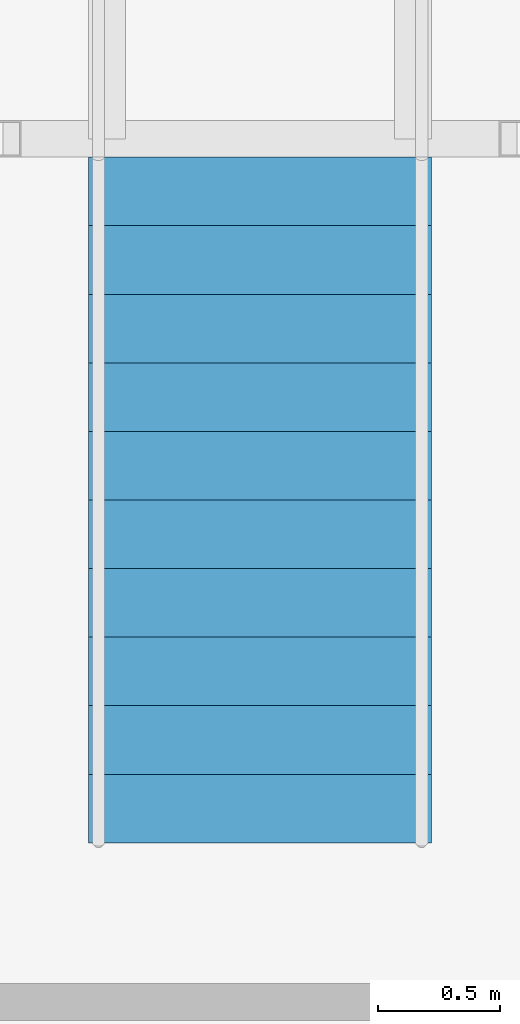
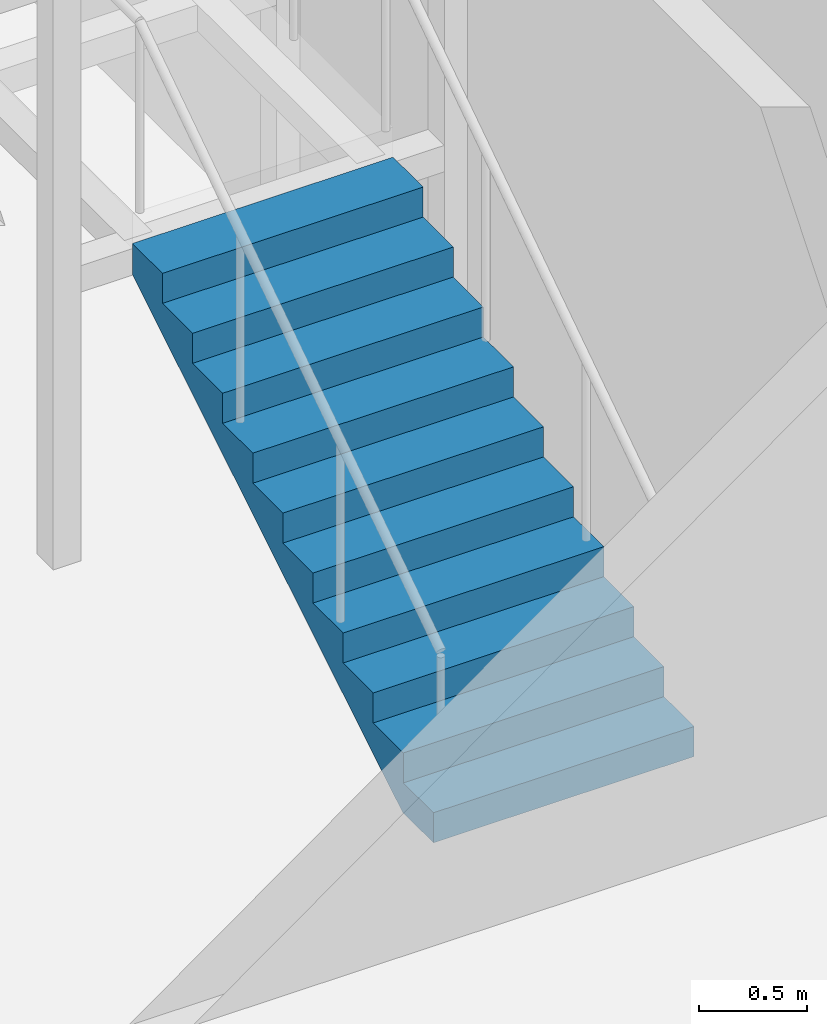
# One storey, part 21 of 27: 1 stair flight, 1 element without a shape of its own.
"""IFC4 building model written with IfcOpenShell, lengths in metres."""

from ifc_helpers import new_model, si_unit, direction, frame, origin, place, context, subcontext, project, spatial, triangles, material, type_object, element, aggregate, save


model = new_model("IFC4")

# Units and contexts
model_context = context("Model", 3, precision=1e-05, world=origin(), true_north=direction((0.0, 1.0)))
body_context = subcontext(model_context, "Body", "Model", "MODEL_VIEW")
ifc_project = project(units=[si_unit("LENGTHUNIT", "METRE"), si_unit("AREAUNIT", "SQUARE_METRE"), si_unit("VOLUMEUNIT", "CUBIC_METRE"), si_unit("PLANEANGLEUNIT", "RADIAN"), si_unit("MASSUNIT", "GRAM", prefix="KILO")], contexts=[model_context])

# Site, building, storey
site_placement = place(None, origin())
site = spatial("IfcSite", under=ifc_project, at=site_placement, CompositionType="ELEMENT")
building_placement = place(site_placement, origin())
building = spatial("IfcBuilding", under=site, at=building_placement, Name="Orbita Commons", CompositionType="ELEMENT")
storey_placement = place(building_placement, frame((0.0, 0.0, 178.60009765625)))
storey = spatial("IfcBuildingStorey", under=building, at=storey_placement, Name="L44", CompositionType="ELEMENT", Elevation=178.60009765625)

# Stair, stair flight
ifc_material_1 = material(Name="Steel ASTM A992 stringers, precast concrete C40/50 terrazzo treads", Category="concrete")
stair_type = type_object("IfcStairType", Name="Feature stair 22 risers 170 x 280 x 1400", PredefinedType="STRAIGHT_RUN_STAIR", material=ifc_material_1)
stair_placement = place(storey_placement, origin())
stair = element("IfcStair", 1, at=stair_placement, inside=storey, type_object=stair_type, Name="Neighbourhood stair L44 to L45", PredefinedType="STRAIGHT_RUN_STAIR")
ifc_material_2 = material(Name="Steel ASTM A992 stringers, precast concrete C40/50 terrazzo treads", Category="concrete")
stair_flight_type = type_object("IfcStairFlightType", Name="Feature stair flight 11 risers 170 x 1400", PredefinedType="STRAIGHT", material=ifc_material_2)
stair_flight_placement = place(storey_placement, frame((14.39990234375, 31.5, 0.0), z_axis=(0.0, 0.0, 1.0), x_axis=(0.0, 1.0, 0.0)))
stair_flight = element("IfcStairFlight", 2, at=stair_flight_placement, type_object=stair_flight_type, Name="FS flight 1", NumberOfRisers=11, NumberOfTreads=10, PredefinedType="STRAIGHT", RiserHeight=0.170454545, TreadLength=0.28, context=body_context, shape_type="Tessellation", body=[
    triangles([(0.0, 0.699951, 0.0), (0.0, 0.699951, 0.021307), (0.0, 0.583293, 0.021307), (0.0, 0.583293, 0.0), (0.0, 0.466634, 0.021307), (0.0, 0.466634, 0.0), (0.0, 0.349976, 0.021307), (0.0, 0.349976, 0.0), (0.0, 0.233317, 0.021307), (0.0, 0.233317, 0.0), (0.0, 0.116659, 0.021307), (0.0, 0.116659, 0.0), (0.0, 0.0, 0.021307), (0.0, 0.0, 0.0), (0.0, -0.116659, 0.021307), (0.0, -0.116659, 0.0), (0.0, -0.233317, 0.021307), (0.0, -0.233317, 0.0), (0.0, -0.349976, 0.021307), (0.0, -0.349976, 0.0), (0.0, -0.466634, 0.021307), (0.0, -0.466634, 0.0), (0.0, -0.583293, 0.021307), (0.0, -0.583293, 0.0), (0.0, -0.699951, 0.021307), (0.0, -0.699951, 0.0), (0.0, 0.699951, 0.042614), (0.0, 0.583293, 0.042614), (0.0, 0.466634, 0.042614), (0.0, 0.349976, 0.042614), (0.0, 0.233317, 0.042614), (0.0, 0.116659, 0.042614), (0.0, 0.0, 0.042614), (0.0, -0.116659, 0.042614), (0.0, -0.233317, 0.042614), (0.0, -0.349976, 0.042614), (0.0, -0.466634, 0.042614), (0.0, -0.583293, 0.042614), (0.0, -0.699951, 0.042614), (0.0, 0.699951, 0.06392), (0.0, 0.583293, 0.06392), (0.0, 0.466634, 0.06392), (0.0, 0.349976, 0.06392), (0.0, 0.233317, 0.06392), (0.0, 0.116659, 0.06392), (0.0, 0.0, 0.06392), (0.0, -0.116659, 0.06392), (0.0, -0.233317, 0.06392), (0.0, -0.349976, 0.06392), (0.0, -0.466634, 0.06392), (0.0, -0.583293, 0.06392), (0.0, -0.699951, 0.06392), (0.0, 0.699951, 0.085227), (0.0, 0.583293, 0.085227), (0.0, 0.466634, 0.085227), (0.0, 0.349976, 0.085227), (0.0, 0.233317, 0.085227), (0.0, 0.116659, 0.085227), (0.0, 0.0, 0.085227), (0.0, -0.116659, 0.085227), (0.0, -0.233317, 0.085227), (0.0, -0.349976, 0.085227), (0.0, -0.466634, 0.085227), (0.0, -0.583293, 0.085227), (0.0, -0.699951, 0.085227), (0.0, 0.699951, 0.106534), (0.0, 0.583293, 0.106534), (0.0, 0.466634, 0.106534), (0.0, 0.349976, 0.106534), (0.0, 0.233317, 0.106534), (0.0, 0.116659, 0.106534), (0.0, 0.0, 0.106534), (0.0, -0.116659, 0.106534), (0.0, -0.233317, 0.106534), (0.0, -0.349976, 0.106534), (0.0, -0.466634, 0.106534), (0.0, -0.583293, 0.106534), (0.0, -0.699951, 0.106534), (0.0, 0.699951, 0.127841), (0.0, 0.583293, 0.127841), (0.0, 0.466634, 0.127841), (0.0, 0.349976, 0.127841), (0.0, 0.233317, 0.127841), (0.0, 0.116659, 0.127841), (0.0, 0.0, 0.127841), (0.0, -0.116659, 0.127841), (0.0, -0.233317, 0.127841), (0.0, -0.349976, 0.127841), (0.0, -0.466634, 0.127841), (0.0, -0.583293, 0.127841), (0.0, -0.699951, 0.127841), (0.0, 0.699951, 0.149148), (0.0, 0.583293, 0.149148), (0.0, 0.466634, 0.149148), (0.0, 0.349976, 0.149148), (0.0, 0.233317, 0.149148), (0.0, 0.116659, 0.149148), (0.0, 0.0, 0.149148), (0.0, -0.116659, 0.149148), (0.0, -0.233317, 0.149148), (0.0, -0.349976, 0.149148), (0.0, -0.466634, 0.149148), (0.0, -0.583293, 0.149148), (0.0, -0.699951, 0.149148), (0.0, 0.699951, 0.170455), (0.0, 0.583293, 0.170455), (0.0, 0.466634, 0.170455), (0.0, 0.349976, 0.170455), (0.0, 0.233317, 0.170455), (0.0, 0.116659, 0.170455), (0.0, 0.0, 0.170455), (0.0, -0.116659, 0.170455), (0.0, -0.233317, 0.170455), (0.0, -0.349976, 0.170455), (0.0, -0.466634, 0.170455), (0.0, -0.583293, 0.170455), (0.0, -0.699951, 0.170455), (0.28, 0.699951, 0.170455), (0.28, 0.583293, 0.170455), (0.28, 0.466634, 0.170455), (0.28, 0.349976, 0.170455), (0.28, 0.233317, 0.170455), (0.28, 0.116659, 0.170455), (0.28, 0.0, 0.170455), (0.28, -0.116659, 0.170455), (0.28, -0.233317, 0.170455), (0.28, -0.349976, 0.170455), (0.28, -0.466634, 0.170455), (0.28, -0.583293, 0.170455), (0.28, -0.699951, 0.170455), (0.28, 0.699951, 0.340909), (0.28, 0.583293, 0.340909), (0.28, 0.466634, 0.340909), (0.28, 0.349976, 0.340909), (0.28, 0.233317, 0.340909), (0.28, 0.116659, 0.340909), (0.28, 0.0, 0.340909), (0.28, -0.116659, 0.340909), (0.28, -0.233317, 0.340909), (0.28, -0.349976, 0.340909), (0.28, -0.466634, 0.340909), (0.28, -0.583293, 0.340909), (0.28, -0.699951, 0.340909), (0.56, 0.699951, 0.340909), (0.56, 0.583293, 0.340909), (0.56, 0.466634, 0.340909), (0.56, 0.349976, 0.340909), (0.56, 0.233317, 0.340909), (0.56, 0.116659, 0.340909), (0.56, 0.0, 0.340909), (0.56, -0.116659, 0.340909), (0.56, -0.233317, 0.340909), (0.56, -0.349976, 0.340909), (0.56, -0.466634, 0.340909), (0.56, -0.583293, 0.340909), (0.56, -0.699951, 0.340909), (0.56, 0.699951, 0.511364), (0.56, 0.583293, 0.511364), (0.56, 0.466634, 0.511364), (0.56, 0.349976, 0.511364), (0.56, 0.233317, 0.511364), (0.56, 0.116659, 0.511364), (0.56, 0.0, 0.511364), (0.56, -0.116659, 0.511364), (0.56, -0.233317, 0.511364), (0.56, -0.349976, 0.511364), (0.56, -0.466634, 0.511364), (0.56, -0.583293, 0.511364), (0.56, -0.699951, 0.511364), (0.84, 0.699951, 0.511364), (0.84, 0.583293, 0.511364), (0.84, 0.466634, 0.511364), (0.84, 0.349976, 0.511364), (0.84, 0.233317, 0.511364), (0.84, 0.116659, 0.511364), (0.84, 0.0, 0.511364), (0.84, -0.116659, 0.511364), (0.84, -0.233317, 0.511364), (0.84, -0.349976, 0.511364), (0.84, -0.466634, 0.511364), (0.84, -0.583293, 0.511364), (0.84, -0.699951, 0.511364), (0.84, 0.699951, 0.681818), (0.84, 0.583293, 0.681818), (0.84, 0.466634, 0.681818), (0.84, 0.349976, 0.681818), (0.84, 0.233317, 0.681818), (0.84, 0.116659, 0.681818), (0.84, 0.0, 0.681818), (0.84, -0.116659, 0.681818), (0.84, -0.233317, 0.681818), (0.84, -0.349976, 0.681818), (0.84, -0.466634, 0.681818), (0.84, -0.583293, 0.681818), (0.84, -0.699951, 0.681818), (1.12, 0.699951, 0.681818), (1.12, 0.583293, 0.681818), (1.12, 0.466634, 0.681818), (1.12, 0.349976, 0.681818), (1.12, 0.233317, 0.681818), (1.12, 0.116659, 0.681818), (1.12, 0.0, 0.681818), (1.12, -0.116659, 0.681818), (1.12, -0.233317, 0.681818), (1.12, -0.349976, 0.681818), (1.12, -0.466634, 0.681818), (1.12, -0.583293, 0.681818), (1.12, -0.699951, 0.681818), (1.12, 0.699951, 0.852273), (1.12, 0.583293, 0.852273), (1.12, 0.466634, 0.852273), (1.12, 0.349976, 0.852273), (1.12, 0.233317, 0.852273), (1.12, 0.116659, 0.852273), (1.12, 0.0, 0.852273), (1.12, -0.116659, 0.852273), (1.12, -0.233317, 0.852273), (1.12, -0.349976, 0.852273), (1.12, -0.466634, 0.852273), (1.12, -0.583293, 0.852273), (1.12, -0.699951, 0.852273), (1.4, 0.699951, 0.852273), (1.4, 0.583293, 0.852273), (1.4, 0.466634, 0.852273), (1.4, 0.349976, 0.852273), (1.4, 0.233317, 0.852273), (1.4, 0.116659, 0.852273), (1.4, 0.0, 0.852273), (1.4, -0.116659, 0.852273), (1.4, -0.233317, 0.852273), (1.4, -0.349976, 0.852273), (1.4, -0.466634, 0.852273), (1.4, -0.583293, 0.852273), (1.4, -0.699951, 0.852273), (1.4, 0.699951, 1.022727), (1.4, 0.583293, 1.022727), (1.4, 0.466634, 1.022727), (1.4, 0.349976, 1.022727), (1.4, 0.233317, 1.022727), (1.4, 0.116659, 1.022727), (1.4, 0.0, 1.022727), (1.4, -0.116659, 1.022727), (1.4, -0.233317, 1.022727), (1.4, -0.349976, 1.022727), (1.4, -0.466634, 1.022727), (1.4, -0.583293, 1.022727), (1.4, -0.699951, 1.022727), (1.68, 0.699951, 1.022727), (1.68, 0.583293, 1.022727), (1.68, 0.466634, 1.022727), (1.68, 0.349976, 1.022727), (1.68, 0.233317, 1.022727), (1.68, 0.116659, 1.022727), (1.68, 0.0, 1.022727), (1.68, -0.116659, 1.022727), (1.68, -0.233317, 1.022727), (1.68, -0.349976, 1.022727), (1.68, -0.466634, 1.022727), (1.68, -0.583293, 1.022727), (1.68, -0.699951, 1.022727), (1.68, 0.699951, 1.193182), (1.68, 0.583293, 1.193182), (1.68, 0.466634, 1.193182), (1.68, 0.349976, 1.193182), (1.68, 0.233317, 1.193182), (1.68, 0.116659, 1.193182), (1.68, 0.0, 1.193182), (1.68, -0.116659, 1.193182), (1.68, -0.233317, 1.193182), (1.68, -0.349976, 1.193182), (1.68, -0.466634, 1.193182), (1.68, -0.583293, 1.193182), (1.68, -0.699951, 1.193182), (1.96, 0.699951, 1.193182), (1.96, 0.583293, 1.193182), (1.96, 0.466634, 1.193182), (1.96, 0.349976, 1.193182), (1.96, 0.233317, 1.193182), (1.96, 0.116659, 1.193182), (1.96, 0.0, 1.193182), (1.96, -0.116659, 1.193182), (1.96, -0.233317, 1.193182), (1.96, -0.349976, 1.193182), (1.96, -0.466634, 1.193182), (1.96, -0.583293, 1.193182), (1.96, -0.699951, 1.193182), (1.96, 0.699951, 1.363636), (1.96, 0.583293, 1.363636), (1.96, 0.466634, 1.363636), (1.96, 0.349976, 1.363636), (1.96, 0.233317, 1.363636), (1.96, 0.116659, 1.363636), (1.96, 0.0, 1.363636), (1.96, -0.116659, 1.363636), (1.96, -0.233317, 1.363636), (1.96, -0.349976, 1.363636), (1.96, -0.466634, 1.363636), (1.96, -0.583293, 1.363636), (1.96, -0.699951, 1.363636), (2.24, 0.699951, 1.363636), (2.24, 0.583293, 1.363636), (2.24, 0.466634, 1.363636), (2.24, 0.349976, 1.363636), (2.24, 0.233317, 1.363636), (2.24, 0.116659, 1.363636), (2.24, 0.0, 1.363636), (2.24, -0.116659, 1.363636), (2.24, -0.233317, 1.363636), (2.24, -0.349976, 1.363636), (2.24, -0.466634, 1.363636), (2.24, -0.583293, 1.363636), (2.24, -0.699951, 1.363636), (2.24, 0.699951, 1.534091), (2.24, 0.583293, 1.534091), (2.24, 0.466634, 1.534091), (2.24, 0.349976, 1.534091), (2.24, 0.233317, 1.534091), (2.24, 0.116659, 1.534091), (2.24, 0.0, 1.534091), (2.24, -0.116659, 1.534091), (2.24, -0.233317, 1.534091), (2.24, -0.349976, 1.534091), (2.24, -0.466634, 1.534091), (2.24, -0.583293, 1.534091), (2.24, -0.699951, 1.534091), (2.52, 0.699951, 1.534091), (2.52, 0.583293, 1.534091), (2.52, 0.466634, 1.534091), (2.52, 0.349976, 1.534091), (2.52, 0.233317, 1.534091), (2.52, 0.116659, 1.534091), (2.52, 0.0, 1.534091), (2.52, -0.116659, 1.534091), (2.52, -0.233317, 1.534091), (2.52, -0.349976, 1.534091), (2.52, -0.466634, 1.534091), (2.52, -0.583293, 1.534091), (2.52, -0.699951, 1.534091), (2.52, 0.699951, 1.704545), (2.52, 0.583293, 1.704545), (2.52, 0.466634, 1.704545), (2.52, 0.349976, 1.704545), (2.52, 0.233317, 1.704545), (2.52, 0.116659, 1.704545), (2.52, 0.0, 1.704545), (2.52, -0.116659, 1.704545), (2.52, -0.233317, 1.704545), (2.52, -0.349976, 1.704545), (2.52, -0.466634, 1.704545), (2.52, -0.583293, 1.704545), (2.52, -0.699951, 1.704545), (2.8, 0.699951, 1.704545), (2.8, 0.583293, 1.704545), (2.8, 0.466634, 1.704545), (2.8, 0.349976, 1.704545), (2.8, 0.233317, 1.704545), (2.8, 0.116659, 1.704545), (2.8, 0.0, 1.704545), (2.8, -0.116659, 1.704545), (2.8, -0.233317, 1.704545), (2.8, -0.349976, 1.704545), (2.8, -0.466634, 1.704545), (2.8, -0.583293, 1.704545), (2.8, -0.699951, 1.704545), (2.8, 0.699951, 1.682609), (2.8, 0.583293, 1.682609), (2.8, 0.466634, 1.682609), (2.8, 0.349976, 1.682609), (2.8, 0.233317, 1.682609), (2.8, 0.116659, 1.682609), (2.8, 0.0, 1.682609), (2.8, -0.116659, 1.682609), (2.8, -0.233317, 1.682609), (2.8, -0.349976, 1.682609), (2.8, -0.466634, 1.682609), (2.8, -0.583293, 1.682609), (2.8, -0.699951, 1.682609), (2.8, 0.699951, 1.660672), (2.8, 0.583293, 1.660672), (2.8, 0.466634, 1.660672), (2.8, 0.349976, 1.660672), (2.8, 0.233317, 1.660672), (2.8, 0.116659, 1.660672), (2.8, 0.0, 1.660672), (2.8, -0.116659, 1.660672), (2.8, -0.233317, 1.660672), (2.8, -0.349976, 1.660672), (2.8, -0.466634, 1.660672), (2.8, -0.583293, 1.660672), (2.8, -0.699951, 1.660672), (2.8, 0.699951, 1.638735), (2.8, 0.583293, 1.638735), (2.8, 0.466634, 1.638735), (2.8, 0.349976, 1.638735), (2.8, 0.233317, 1.638735), (2.8, 0.116659, 1.638735), (2.8, 0.0, 1.638735), (2.8, -0.116659, 1.638735), (2.8, -0.233317, 1.638735), (2.8, -0.349976, 1.638735), (2.8, -0.466634, 1.638735), (2.8, -0.583293, 1.638735), (2.8, -0.699951, 1.638735), (2.8, 0.699951, 1.616798), (2.8, 0.583293, 1.616798), (2.8, 0.466634, 1.616798), (2.8, 0.349976, 1.616798), (2.8, 0.233317, 1.616798), (2.8, 0.116659, 1.616798), (2.8, 0.0, 1.616798), (2.8, -0.116659, 1.616798), (2.8, -0.233317, 1.616798), (2.8, -0.349976, 1.616798), (2.8, -0.466634, 1.616798), (2.8, -0.583293, 1.616798), (2.8, -0.699951, 1.616798), (2.8, 0.699951, 1.594861), (2.8, 0.583293, 1.594861), (2.8, 0.466634, 1.594861), (2.8, 0.349976, 1.594861), (2.8, 0.233317, 1.594861), (2.8, 0.116659, 1.594861), (2.8, 0.0, 1.594861), (2.8, -0.116659, 1.594861), (2.8, -0.233317, 1.594861), (2.8, -0.349976, 1.594861), (2.8, -0.466634, 1.594861), (2.8, -0.583293, 1.594861), (2.8, -0.699951, 1.594861), (2.8, 0.699951, 1.572925), (2.8, 0.583293, 1.572925), (2.8, 0.466634, 1.572925), (2.8, 0.349976, 1.572925), (2.8, 0.233317, 1.572925), (2.8, 0.116659, 1.572925), (2.8, 0.0, 1.572925), (2.8, -0.116659, 1.572925), (2.8, -0.233317, 1.572925), (2.8, -0.349976, 1.572925), (2.8, -0.466634, 1.572925), (2.8, -0.583293, 1.572925), (2.8, -0.699951, 1.572925), (2.8, 0.699951, 1.550988), (2.8, 0.583293, 1.550988), (2.8, 0.466634, 1.550988), (2.8, 0.349976, 1.550988), (2.8, 0.233317, 1.550988), (2.8, 0.116659, 1.550988), (2.8, 0.0, 1.550988), (2.8, -0.116659, 1.550988), (2.8, -0.233317, 1.550988), (2.8, -0.349976, 1.550988), (2.8, -0.466634, 1.550988), (2.8, -0.583293, 1.550988), (2.8, -0.699951, 1.550988), (2.8, 0.699951, 1.529051), (2.8, 0.583293, 1.529051), (2.8, 0.466634, 1.529051), (2.8, 0.349976, 1.529051), (2.8, 0.233317, 1.529051), (2.8, 0.116659, 1.529051), (2.8, 0.0, 1.529051), (2.8, -0.116659, 1.529051), (2.8, -0.233317, 1.529051), (2.8, -0.349976, 1.529051), (2.8, -0.466634, 1.529051), (2.8, -0.583293, 1.529051), (2.8, -0.699951, 1.529051), (0.288279, 0.699951, 0.0), (0.288279, 0.583293, 0.0), (0.288279, 0.466634, 0.0), (0.288279, 0.349976, 0.0), (0.288279, 0.233317, 0.0), (0.288279, 0.116659, 0.0), (0.288279, 0.0, 0.0), (0.288279, -0.116659, 0.0), (0.288279, -0.233317, 0.0), (0.288279, -0.349976, 0.0), (0.288279, -0.466634, 0.0), (0.288279, -0.583293, 0.0), (0.288279, -0.699951, 0.0)], [[3, 2, 1], [4, 3, 1], [5, 3, 4], [6, 5, 4], [7, 5, 6], [8, 7, 6], [9, 7, 8], [10, 9, 8], [11, 9, 10], [12, 11, 10], [13, 11, 12], [14, 13, 12], [15, 13, 14], [16, 15, 14], [17, 15, 16], [18, 17, 16], [19, 17, 18], [20, 19, 18], [21, 19, 20], [22, 21, 20], [23, 21, 22], [24, 23, 22], [25, 23, 24], [26, 25, 24], [28, 27, 2], [3, 28, 2], [29, 28, 3], [5, 29, 3], [30, 29, 5], [7, 30, 5], [31, 30, 7], [9, 31, 7], [32, 31, 9], [11, 32, 9], [33, 32, 11], [13, 33, 11], [34, 33, 13], [15, 34, 13], [35, 34, 15], [17, 35, 15], [36, 35, 17], [19, 36, 17], [37, 36, 19], [21, 37, 19], [38, 37, 21], [23, 38, 21], [39, 38, 23], [25, 39, 23], [41, 40, 27], [28, 41, 27], [42, 41, 28], [29, 42, 28], [43, 42, 29], [30, 43, 29], [44, 43, 30], [31, 44, 30], [45, 44, 31], [32, 45, 31], [46, 45, 32], [33, 46, 32], [47, 46, 33], [34, 47, 33], [48, 47, 34], [35, 48, 34], [49, 48, 35], [36, 49, 35], [50, 49, 36], [37, 50, 36], [51, 50, 37], [38, 51, 37], [52, 51, 38], [39, 52, 38], [54, 53, 40], [41, 54, 40], [55, 54, 41], [42, 55, 41], [56, 55, 42], [43, 56, 42], [57, 56, 43], [44, 57, 43], [58, 57, 44], [45, 58, 44], [59, 58, 45], [46, 59, 45], [60, 59, 46], [47, 60, 46], [61, 60, 47], [48, 61, 47], [62, 61, 48], [49, 62, 48], [63, 62, 49], [50, 63, 49], [64, 63, 50], [51, 64, 50], [65, 64, 51], [52, 65, 51], [67, 66, 53], [54, 67, 53], [68, 67, 54], [55, 68, 54], [69, 68, 55], [56, 69, 55], [70, 69, 56], [57, 70, 56], [71, 70, 57], [58, 71, 57], [72, 71, 58], [59, 72, 58], [73, 72, 59], [60, 73, 59], [74, 73, 60], [61, 74, 60], [75, 74, 61], [62, 75, 61], [76, 75, 62], [63, 76, 62], [77, 76, 63], [64, 77, 63], [78, 77, 64], [65, 78, 64], [80, 79, 66], [67, 80, 66], [81, 80, 67], [68, 81, 67], [82, 81, 68], [69, 82, 68], [83, 82, 69], [70, 83, 69], [84, 83, 70], [71, 84, 70], [85, 84, 71], [72, 85, 71], [86, 85, 72], [73, 86, 72], [87, 86, 73], [74, 87, 73], [88, 87, 74], [75, 88, 74], [89, 88, 75], [76, 89, 75], [90, 89, 76], [77, 90, 76], [91, 90, 77], [78, 91, 77], [93, 92, 79], [80, 93, 79], [94, 93, 80], [81, 94, 80], [95, 94, 81], [82, 95, 81], [96, 95, 82], [83, 96, 82], [97, 96, 83], [84, 97, 83], [98, 97, 84], [85, 98, 84], [99, 98, 85], [86, 99, 85], [100, 99, 86], [87, 100, 86], [101, 100, 87], [88, 101, 87], [102, 101, 88], [89, 102, 88], [103, 102, 89], [90, 103, 89], [104, 103, 90], [91, 104, 90], [106, 105, 92], [93, 106, 92], [107, 106, 93], [94, 107, 93], [108, 107, 94], [95, 108, 94], [109, 108, 95], [96, 109, 95], [110, 109, 96], [97, 110, 96], [111, 110, 97], [98, 111, 97], [112, 111, 98], [99, 112, 98], [113, 112, 99], [100, 113, 99], [114, 113, 100], [101, 114, 100], [115, 114, 101], [102, 115, 101], [116, 115, 102], [103, 116, 102], [117, 116, 103], [104, 117, 103], [119, 118, 105], [106, 119, 105], [120, 119, 106], [107, 120, 106], [121, 120, 107], [108, 121, 107], [122, 121, 108], [109, 122, 108], [123, 122, 109], [110, 123, 109], [124, 123, 110], [111, 124, 110], [125, 124, 111], [112, 125, 111], [126, 125, 112], [113, 126, 112], [127, 126, 113], [114, 127, 113], [128, 127, 114], [115, 128, 114], [129, 128, 115], [116, 129, 115], [130, 129, 116], [117, 130, 116], [132, 131, 118], [119, 132, 118], [133, 132, 119], [120, 133, 119], [134, 133, 120], [121, 134, 120], [135, 134, 121], [122, 135, 121], [136, 135, 122], [123, 136, 122], [137, 136, 123], [124, 137, 123], [138, 137, 124], [125, 138, 124], [139, 138, 125], [126, 139, 125], [140, 139, 126], [127, 140, 126], [141, 140, 127], [128, 141, 127], [142, 141, 128], [129, 142, 128], [143, 142, 129], [130, 143, 129], [145, 144, 131], [132, 145, 131], [146, 145, 132], [133, 146, 132], [147, 146, 133], [134, 147, 133], [148, 147, 134], [135, 148, 134], [149, 148, 135], [136, 149, 135], [150, 149, 136], [137, 150, 136], [151, 150, 137], [138, 151, 137], [152, 151, 138], [139, 152, 138], [153, 152, 139], [140, 153, 139], [154, 153, 140], [141, 154, 140], [155, 154, 141], [142, 155, 141], [156, 155, 142], [143, 156, 142], [158, 157, 144], [145, 158, 144], [159, 158, 145], [146, 159, 145], [160, 159, 146], [147, 160, 146], [161, 160, 147], [148, 161, 147], [162, 161, 148], [149, 162, 148], [163, 162, 149], [150, 163, 149], [164, 163, 150], [151, 164, 150], [165, 164, 151], [152, 165, 151], [166, 165, 152], [153, 166, 152], [167, 166, 153], [154, 167, 153], [168, 167, 154], [155, 168, 154], [169, 168, 155], [156, 169, 155], [171, 170, 157], [158, 171, 157], [172, 171, 158], [159, 172, 158], [173, 172, 159], [160, 173, 159], [174, 173, 160], [161, 174, 160], [175, 174, 161], [162, 175, 161], [176, 175, 162], [163, 176, 162], [177, 176, 163], [164, 177, 163], [178, 177, 164], [165, 178, 164], [179, 178, 165], [166, 179, 165], [180, 179, 166], [167, 180, 166], [181, 180, 167], [168, 181, 167], [182, 181, 168], [169, 182, 168], [184, 183, 170], [171, 184, 170], [185, 184, 171], [172, 185, 171], [186, 185, 172], [173, 186, 172], [187, 186, 173], [174, 187, 173], [188, 187, 174], [175, 188, 174], [189, 188, 175], [176, 189, 175], [190, 189, 176], [177, 190, 176], [191, 190, 177], [178, 191, 177], [192, 191, 178], [179, 192, 178], [193, 192, 179], [180, 193, 179], [194, 193, 180], [181, 194, 180], [195, 194, 181], [182, 195, 181], [197, 196, 183], [184, 197, 183], [198, 197, 184], [185, 198, 184], [199, 198, 185], [186, 199, 185], [200, 199, 186], [187, 200, 186], [201, 200, 187], [188, 201, 187], [202, 201, 188], [189, 202, 188], [203, 202, 189], [190, 203, 189], [204, 203, 190], [191, 204, 190], [205, 204, 191], [192, 205, 191], [206, 205, 192], [193, 206, 192], [207, 206, 193], [194, 207, 193], [208, 207, 194], [195, 208, 194], [210, 209, 196], [197, 210, 196], [211, 210, 197], [198, 211, 197], [212, 211, 198], [199, 212, 198], [213, 212, 199], [200, 213, 199], [214, 213, 200], [201, 214, 200], [215, 214, 201], [202, 215, 201], [216, 215, 202], [203, 216, 202], [217, 216, 203], [204, 217, 203], [218, 217, 204], [205, 218, 204], [219, 218, 205], [206, 219, 205], [220, 219, 206], [207, 220, 206], [221, 220, 207], [208, 221, 207], [223, 222, 209], [210, 223, 209], [224, 223, 210], [211, 224, 210], [225, 224, 211], [212, 225, 211], [226, 225, 212], [213, 226, 212], [227, 226, 213], [214, 227, 213], [228, 227, 214], [215, 228, 214], [229, 228, 215], [216, 229, 215], [230, 229, 216], [217, 230, 216], [231, 230, 217], [218, 231, 217], [232, 231, 218], [219, 232, 218], [233, 232, 219], [220, 233, 219], [234, 233, 220], [221, 234, 220], [236, 235, 222], [223, 236, 222], [237, 236, 223], [224, 237, 223], [238, 237, 224], [225, 238, 224], [239, 238, 225], [226, 239, 225], [240, 239, 226], [227, 240, 226], [241, 240, 227], [228, 241, 227], [242, 241, 228], [229, 242, 228], [243, 242, 229], [230, 243, 229], [244, 243, 230], [231, 244, 230], [245, 244, 231], [232, 245, 231], [246, 245, 232], [233, 246, 232], [247, 246, 233], [234, 247, 233], [249, 248, 235], [236, 249, 235], [250, 249, 236], [237, 250, 236], [251, 250, 237], [238, 251, 237], [252, 251, 238], [239, 252, 238], [253, 252, 239], [240, 253, 239], [254, 253, 240], [241, 254, 240], [255, 254, 241], [242, 255, 241], [256, 255, 242], [243, 256, 242], [257, 256, 243], [244, 257, 243], [258, 257, 244], [245, 258, 244], [259, 258, 245], [246, 259, 245], [260, 259, 246], [247, 260, 246], [262, 261, 248], [249, 262, 248], [263, 262, 249], [250, 263, 249], [264, 263, 250], [251, 264, 250], [265, 264, 251], [252, 265, 251], [266, 265, 252], [253, 266, 252], [267, 266, 253], [254, 267, 253], [268, 267, 254], [255, 268, 254], [269, 268, 255], [256, 269, 255], [270, 269, 256], [257, 270, 256], [271, 270, 257], [258, 271, 257], [272, 271, 258], [259, 272, 258], [273, 272, 259], [260, 273, 259], [275, 274, 261], [262, 275, 261], [276, 275, 262], [263, 276, 262], [277, 276, 263], [264, 277, 263], [278, 277, 264], [265, 278, 264], [279, 278, 265], [266, 279, 265], [280, 279, 266], [267, 280, 266], [281, 280, 267], [268, 281, 267], [282, 281, 268], [269, 282, 268], [283, 282, 269], [270, 283, 269], [284, 283, 270], [271, 284, 270], [285, 284, 271], [272, 285, 271], [286, 285, 272], [273, 286, 272], [288, 287, 274], [275, 288, 274], [289, 288, 275], [276, 289, 275], [290, 289, 276], [277, 290, 276], [291, 290, 277], [278, 291, 277], [292, 291, 278], [279, 292, 278], [293, 292, 279], [280, 293, 279], [294, 293, 280], [281, 294, 280], [295, 294, 281], [282, 295, 281], [296, 295, 282], [283, 296, 282], [297, 296, 283], [284, 297, 283], [298, 297, 284], [285, 298, 284], [299, 298, 285], [286, 299, 285], [301, 300, 287], [288, 301, 287], [302, 301, 288], [289, 302, 288], [303, 302, 289], [290, 303, 289], [304, 303, 290], [291, 304, 290], [305, 304, 291], [292, 305, 291], [306, 305, 292], [293, 306, 292], [307, 306, 293], [294, 307, 293], [308, 307, 294], [295, 308, 294], [309, 308, 295], [296, 309, 295], [310, 309, 296], [297, 310, 296], [311, 310, 297], [298, 311, 297], [312, 311, 298], [299, 312, 298], [314, 313, 300], [301, 314, 300], [315, 314, 301], [302, 315, 301], [316, 315, 302], [303, 316, 302], [317, 316, 303], [304, 317, 303], [318, 317, 304], [305, 318, 304], [319, 318, 305], [306, 319, 305], [320, 319, 306], [307, 320, 306], [321, 320, 307], [308, 321, 307], [322, 321, 308], [309, 322, 308], [323, 322, 309], [310, 323, 309], [324, 323, 310], [311, 324, 310], [325, 324, 311], [312, 325, 311], [327, 326, 313], [314, 327, 313], [328, 327, 314], [315, 328, 314], [329, 328, 315], [316, 329, 315], [330, 329, 316], [317, 330, 316], [331, 330, 317], [318, 331, 317], [332, 331, 318], [319, 332, 318], [333, 332, 319], [320, 333, 319], [334, 333, 320], [321, 334, 320], [335, 334, 321], [322, 335, 321], [336, 335, 322], [323, 336, 322], [337, 336, 323], [324, 337, 323], [338, 337, 324], [325, 338, 324], [340, 339, 326], [327, 340, 326], [341, 340, 327], [328, 341, 327], [342, 341, 328], [329, 342, 328], [343, 342, 329], [330, 343, 329], [344, 343, 330], [331, 344, 330], [345, 344, 331], [332, 345, 331], [346, 345, 332], [333, 346, 332], [347, 346, 333], [334, 347, 333], [348, 347, 334], [335, 348, 334], [349, 348, 335], [336, 349, 335], [350, 349, 336], [337, 350, 336], [351, 350, 337], [338, 351, 337], [353, 352, 339], [340, 353, 339], [354, 353, 340], [341, 354, 340], [355, 354, 341], [342, 355, 341], [356, 355, 342], [343, 356, 342], [357, 356, 343], [344, 357, 343], [358, 357, 344], [345, 358, 344], [359, 358, 345], [346, 359, 345], [360, 359, 346], [347, 360, 346], [361, 360, 347], [348, 361, 347], [362, 361, 348], [349, 362, 348], [363, 362, 349], [350, 363, 349], [364, 363, 350], [351, 364, 350], [366, 365, 352], [353, 366, 352], [367, 366, 353], [354, 367, 353], [368, 367, 354], [355, 368, 354], [369, 368, 355], [356, 369, 355], [370, 369, 356], [357, 370, 356], [371, 370, 357], [358, 371, 357], [372, 371, 358], [359, 372, 358], [373, 372, 359], [360, 373, 359], [374, 373, 360], [361, 374, 360], [375, 374, 361], [362, 375, 361], [376, 375, 362], [363, 376, 362], [377, 376, 363], [364, 377, 363], [379, 378, 365], [366, 379, 365], [380, 379, 366], [367, 380, 366], [381, 380, 367], [368, 381, 367], [382, 381, 368], [369, 382, 368], [383, 382, 369], [370, 383, 369], [384, 383, 370], [371, 384, 370], [385, 384, 371], [372, 385, 371], [386, 385, 372], [373, 386, 372], [387, 386, 373], [374, 387, 373], [388, 387, 374], [375, 388, 374], [389, 388, 375], [376, 389, 375], [390, 389, 376], [377, 390, 376], [392, 391, 378], [379, 392, 378], [393, 392, 379], [380, 393, 379], [394, 393, 380], [381, 394, 380], [395, 394, 381], [382, 395, 381], [396, 395, 382], [383, 396, 382], [397, 396, 383], [384, 397, 383], [398, 397, 384], [385, 398, 384], [399, 398, 385], [386, 399, 385], [400, 399, 386], [387, 400, 386], [401, 400, 387], [388, 401, 387], [402, 401, 388], [389, 402, 388], [403, 402, 389], [390, 403, 389], [405, 404, 391], [392, 405, 391], [406, 405, 392], [393, 406, 392], [407, 406, 393], [394, 407, 393], [408, 407, 394], [395, 408, 394], [409, 408, 395], [396, 409, 395], [410, 409, 396], [397, 410, 396], [411, 410, 397], [398, 411, 397], [412, 411, 398], [399, 412, 398], [413, 412, 399], [400, 413, 399], [414, 413, 400], [401, 414, 400], [415, 414, 401], [402, 415, 401], [416, 415, 402], [403, 416, 402], [418, 417, 404], [405, 418, 404], [419, 418, 405], [406, 419, 405], [420, 419, 406], [407, 420, 406], [421, 420, 407], [408, 421, 407], [422, 421, 408], [409, 422, 408], [423, 422, 409], [410, 423, 409], [424, 423, 410], [411, 424, 410], [425, 424, 411], [412, 425, 411], [426, 425, 412], [413, 426, 412], [427, 426, 413], [414, 427, 413], [428, 427, 414], [415, 428, 414], [429, 428, 415], [416, 429, 415], [431, 430, 417], [418, 431, 417], [432, 431, 418], [419, 432, 418], [433, 432, 419], [420, 433, 419], [434, 433, 420], [421, 434, 420], [435, 434, 421], [422, 435, 421], [436, 435, 422], [423, 436, 422], [437, 436, 423], [424, 437, 423], [438, 437, 424], [425, 438, 424], [439, 438, 425], [426, 439, 425], [440, 439, 426], [427, 440, 426], [441, 440, 427], [428, 441, 427], [442, 441, 428], [429, 442, 428], [444, 443, 430], [431, 444, 430], [445, 444, 431], [432, 445, 431], [446, 445, 432], [433, 446, 432], [447, 446, 433], [434, 447, 433], [448, 447, 434], [435, 448, 434], [449, 448, 435], [436, 449, 435], [450, 449, 436], [437, 450, 436], [451, 450, 437], [438, 451, 437], [452, 451, 438], [439, 452, 438], [453, 452, 439], [440, 453, 439], [454, 453, 440], [441, 454, 440], [455, 454, 441], [442, 455, 441], [457, 456, 443], [444, 457, 443], [458, 457, 444], [445, 458, 444], [459, 458, 445], [446, 459, 445], [460, 459, 446], [447, 460, 446], [461, 460, 447], [448, 461, 447], [462, 461, 448], [449, 462, 448], [463, 462, 449], [450, 463, 449], [464, 463, 450], [451, 464, 450], [465, 464, 451], [452, 465, 451], [466, 465, 452], [453, 466, 452], [467, 466, 453], [454, 467, 453], [468, 467, 454], [455, 468, 454], [470, 469, 456], [457, 470, 456], [471, 470, 457], [458, 471, 457], [472, 471, 458], [459, 472, 458], [473, 472, 459], [460, 473, 459], [474, 473, 460], [461, 474, 460], [475, 474, 461], [462, 475, 461], [476, 475, 462], [463, 476, 462], [477, 476, 463], [464, 477, 463], [478, 477, 464], [465, 478, 464], [479, 478, 465], [466, 479, 465], [480, 479, 466], [467, 480, 466], [481, 480, 467], [468, 481, 467], [4, 1, 469], [470, 4, 469], [6, 4, 470], [471, 6, 470], [8, 6, 471], [472, 8, 471], [10, 8, 472], [473, 10, 472], [12, 10, 473], [474, 12, 473], [14, 12, 474], [475, 14, 474], [16, 14, 475], [476, 16, 475], [18, 16, 476], [477, 18, 476], [20, 18, 477], [478, 20, 477], [22, 20, 478], [479, 22, 478], [24, 22, 479], [480, 24, 479], [26, 24, 480], [481, 26, 480], [456, 469, 1], [26, 481, 468], [443, 456, 1], [26, 468, 455], [430, 443, 1], [26, 455, 442], [417, 430, 1], [26, 442, 429], [404, 417, 1], [26, 429, 416], [391, 404, 1], [26, 416, 403], [378, 391, 1], [26, 403, 390], [365, 378, 1], [26, 390, 377], [339, 352, 365], [377, 364, 351], [326, 339, 365], [377, 351, 338], [300, 313, 326], [338, 325, 312], [300, 326, 365], [377, 338, 312], [274, 287, 300], [312, 299, 286], [274, 300, 365], [377, 312, 286], [248, 261, 274], [286, 273, 260], [248, 274, 365], [377, 286, 260], [222, 235, 248], [260, 247, 234], [222, 248, 365], [377, 260, 234], [196, 209, 222], [234, 221, 208], [196, 222, 365], [377, 234, 208], [170, 183, 196], [208, 195, 182], [170, 196, 365], [377, 208, 182], [144, 157, 170], [182, 169, 156], [144, 170, 365], [377, 182, 156], [118, 131, 144], [156, 143, 130], [118, 144, 365], [377, 156, 130], [118, 365, 1], [26, 377, 130], [92, 105, 118], [130, 117, 104], [79, 92, 118], [130, 104, 91], [66, 79, 118], [130, 91, 78], [53, 66, 118], [130, 78, 65], [40, 53, 118], [130, 65, 52], [27, 40, 118], [130, 52, 39], [2, 27, 118], [130, 39, 25], [1, 2, 118], [130, 25, 26]], closed=True),
])
aggregate(stair, [stair_flight])

save(model, "model.ifc")
